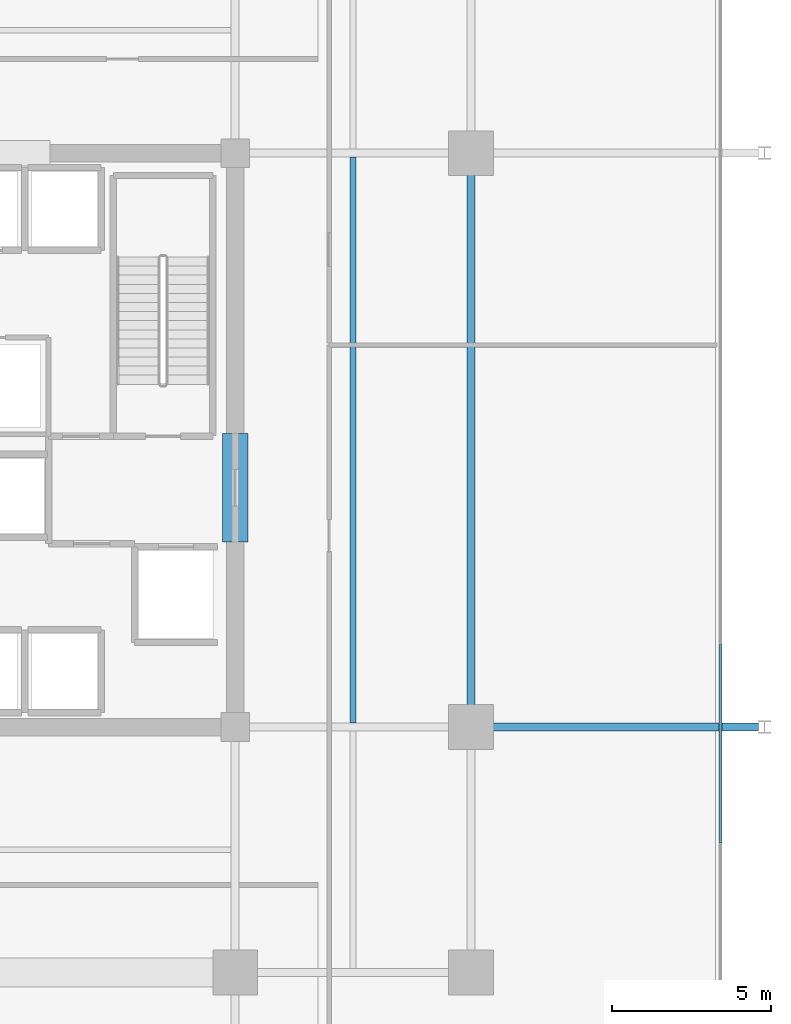
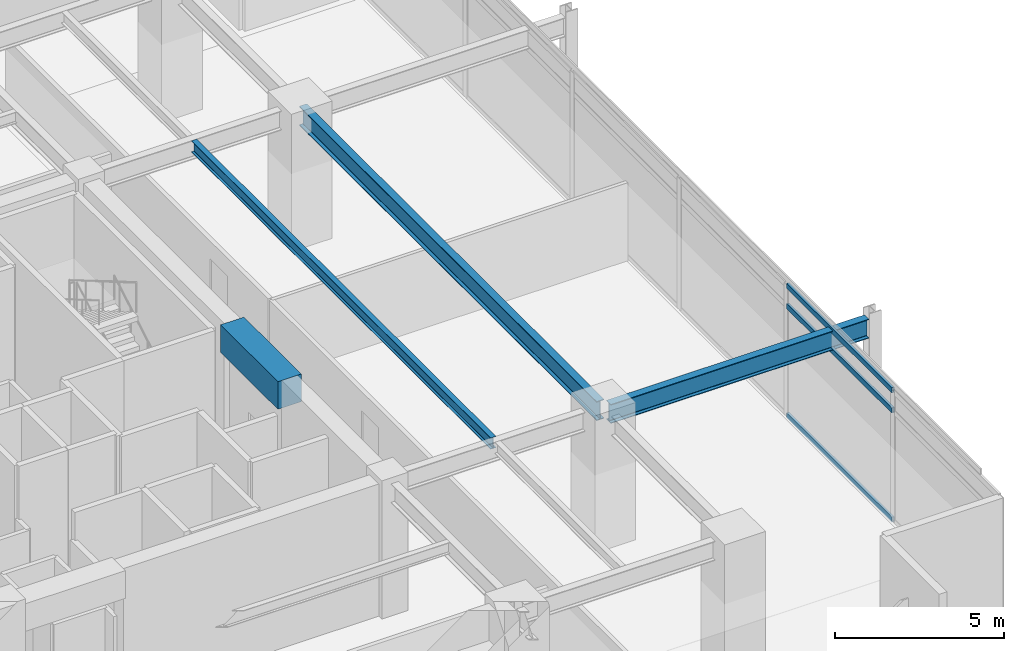
# One storey, part 8 of 21: 4 beams, 3 members, 1 element without a shape of its own.
"""IFC4 building model written with IfcOpenShell, lengths in metres."""

from ifc_helpers import new_model, si_unit, direction, frame, origin, origin_2d, place, context, subcontext, project, spatial, rectangle, hollow_rectangle, i_section, extrude, material, material_profile, profile_set, type_object, element, aggregate, save


model = new_model("IFC4")

# Units and contexts
model_context = context("Model", 3, precision=1e-05, world=origin(), true_north=direction((0.0, 1.0)))
body_context = subcontext(model_context, "Body", "Model", "MODEL_VIEW")
ifc_project = project(units=[si_unit("LENGTHUNIT", "METRE"), si_unit("AREAUNIT", "SQUARE_METRE"), si_unit("VOLUMEUNIT", "CUBIC_METRE"), si_unit("PLANEANGLEUNIT", "RADIAN"), si_unit("MASSUNIT", "GRAM", prefix="KILO")], contexts=[model_context])

# Site, building, storey
site_placement = place(None, origin())
site = spatial("IfcSite", under=ifc_project, at=site_placement, CompositionType="ELEMENT")
building_placement = place(site_placement, origin())
building = spatial("IfcBuilding", under=site, at=building_placement, Name="Kovane Verandah Tower", CompositionType="ELEMENT")
storey_placement = place(building_placement, frame((0.0, 0.0, 238.199951171875)))
storey = spatial("IfcBuildingStorey", under=building, at=storey_placement, Name="L55", CompositionType="ELEMENT", Elevation=238.199951171875)

# Beams
ifc_material_1 = material(Name="Concrete C60/75", Category="concrete")
ifc_material_profile_1 = material_profile(ifc_material_1, rectangle(XDim=0.800048828125, YDim=1.0, at=origin_2d()), Name="RCB800x1000")
ifc_profile_set_1 = profile_set([ifc_material_profile_1], Name="Concrete C60/75")
beam_type_1 = type_object("IfcBeamType", Name="BM-LINTEL-800x1000", PredefinedType="LINTEL", material=ifc_profile_set_1)
beam_1_placement = place(storey_placement, frame((51.0, 24.300048828125, 4.28515625), z_axis=(0.0, 1.0, 0.0), x_axis=(-1.0, 0.0, 0.0)))
element("IfcBeam", 1, at=beam_1_placement, inside=storey, type_object=beam_type_1, Name="L55 Core Coupling Lintel CL-E", PredefinedType="LINTEL", context=body_context, shape_type="SweptSolid", body=[
    extrude(rectangle(XDim=0.800048828125, YDim=1.0, at=origin_2d()), origin(), (0.0, 0.0, 1.0), 3.39990234375),
])
ifc_material_2 = material(Name="Steel S355", Category="steel")
ifc_material_profile_2 = material_profile(ifc_material_2, i_section(OverallWidth=0.255859375, OverallDepth=0.69287109375, WebThickness=0.014404296875, FlangeThickness=0.023681640625, FilletRadius=0.01513671875, at=origin_2d()), Name="UB686x254x170")
ifc_profile_set_2 = profile_set([ifc_material_profile_2], Name="Steel S355")
beam_type_2 = type_object("IfcBeamType", Name="BM-UB686x170", PredefinedType="BEAM", material=ifc_profile_set_2)
beam_2_placement = place(storey_placement, frame((58.39990234375, 18.679931640625, 4.438720703125), z_axis=(0.0, 1.0, 0.0), x_axis=(-1.0, 0.0, 0.0)))
element("IfcBeam", 2, at=beam_2_placement, inside=storey, type_object=beam_type_2, Name="L55 Primary Tower Girder G-RE2", PredefinedType="BEAM", context=body_context, shape_type="SweptSolid", body=[
    extrude(i_section(OverallWidth=0.255859375, OverallDepth=0.69287109375, WebThickness=0.014404296875, FlangeThickness=0.023681640625, FilletRadius=0.01513671875, at=origin_2d()), origin(), (0.0, 0.0, 1.0), 17.64013671875),
])
beam_3_placement = place(storey_placement, frame((58.580078125, 18.5, 4.41357421875), z_axis=(1.0, 0.0, 0.0), x_axis=(0.0, 1.0, 0.0)))
element("IfcBeam", 3, at=beam_3_placement, inside=storey, type_object=beam_type_2, Name="L55 Primary Tower Girder G-VE1", PredefinedType="BEAM", context=body_context, shape_type="SweptSolid", body=[
    extrude(i_section(OverallWidth=0.255859375, OverallDepth=0.69287109375, WebThickness=0.014404296875, FlangeThickness=0.023681640625, FilletRadius=0.01513671875, at=origin_2d()), origin(), (0.0, 0.0, 1.0), 8.83984375),
])

# Curtain wall, members
ifc_material_3 = material(Name="Champagne Anodised Aluminium Frame with Low-E Clear Laminated Glass", Category="aluminium")
curtain_wall_type = type_object("IfcCurtainWallType", Name="CW-SYS-03-MID", PredefinedType="NOTDEFINED", material=ifc_material_3)
curtain_wall_placement = place(storey_placement, origin())
curtain_wall = element("IfcCurtainWall", 4, at=curtain_wall_placement, inside=storey, type_object=curtain_wall_type, Name="L55 E Unitised Curtain Wall", PredefinedType="NOTDEFINED")
ifc_material_4 = material(Name="Champagne Anodised Aluminium 6063-T6", Category="aluminium")
ifc_material_profile_3 = material_profile(ifc_material_4, hollow_rectangle(XDim=0.0849609375, YDim=0.18994140625, WallThickness=0.00390625, at=origin_2d()), Name="AL85x190x4")
ifc_profile_set_3 = profile_set([ifc_material_profile_3], Name="Champagne Anodised Aluminium 6063-T6")
member_type = type_object("IfcMemberType", Name="CW-TRN-85x190", PredefinedType="USERDEFINED", material=ifc_profile_set_3)
member_1_placement = place(storey_placement, frame((66.220703125, 14.86767578125, 0.050048828125), z_axis=(0.0, 1.0, 0.0), x_axis=(-1.0, 0.0, 0.0)))
member_1 = element("IfcMember", 5, at=member_1_placement, type_object=member_type, Name="L55 E Unitised Curtain Wall Transom TB Bay 2", ObjectType="TRANSOM", PredefinedType="USERDEFINED", context=body_context, shape_type="SweptSolid", body=[
    extrude(hollow_rectangle(XDim=0.0849609375, YDim=0.18994140625, WallThickness=0.00390625, at=origin_2d()), origin(), (0.0, 0.0, 1.0), 6.2412109375),
])
member_2_placement = place(storey_placement, frame((66.220703125, 14.86767578125, 4.005126953125), z_axis=(0.0, 1.0, 0.0), x_axis=(-1.0, 0.0, 0.0)))
member_2 = element("IfcMember", 6, at=member_2_placement, type_object=member_type, Name="L55 E Unitised Curtain Wall Transom TM Bay 2", ObjectType="TRANSOM", PredefinedType="USERDEFINED", context=body_context, shape_type="SweptSolid", body=[
    extrude(hollow_rectangle(XDim=0.0849609375, YDim=0.18994140625, WallThickness=0.00390625, at=origin_2d()), origin(), (0.0, 0.0, 1.0), 6.2412109375),
])
member_3_placement = place(storey_placement, frame((66.220703125, 14.86767578125, 4.735107421875), z_axis=(0.0, 1.0, 0.0), x_axis=(-1.0, 0.0, 0.0)))
member_3 = element("IfcMember", 7, at=member_3_placement, type_object=member_type, Name="L55 E Unitised Curtain Wall Transom TT Bay 2", ObjectType="TRANSOM", PredefinedType="USERDEFINED", context=body_context, shape_type="SweptSolid", body=[
    extrude(hollow_rectangle(XDim=0.0849609375, YDim=0.18994140625, WallThickness=0.00390625, at=origin_2d()), origin(), (0.0, 0.0, 1.0), 6.2412109375),
])
aggregate(curtain_wall, [member_1, member_2, member_3])

# Beam
ifc_material_profile_4 = material_profile(ifc_material_2, i_section(OverallWidth=0.179443359375, OverallDepth=0.412841796875, WebThickness=0.009521484375, FlangeThickness=0.01611328125, FilletRadius=0.01025390625, at=origin_2d()), Name="UB406x178x74")
ifc_profile_set_4 = profile_set([ifc_material_profile_4], Name="Steel S355")
beam_type_3 = type_object("IfcBeamType", Name="JST-UB406x74", PredefinedType="JOIST", material=ifc_profile_set_4)
beam_4_placement = place(storey_placement, frame((54.699951171875, 18.6259765625, 4.57861328125), z_axis=(0.0, 1.0, 0.0), x_axis=(-1.0, 0.0, 0.0)))
element("IfcBeam", 8, at=beam_4_placement, inside=storey, type_object=beam_type_3, Name="L55 Secondary Composite Joist J-E1", PredefinedType="JOIST", context=body_context, shape_type="SweptSolid", body=[
    extrude(i_section(OverallWidth=0.179443359375, OverallDepth=0.412841796875, WebThickness=0.009521484375, FlangeThickness=0.01611328125, FilletRadius=0.01025390625, at=origin_2d()), origin(), (0.0, 0.0, 1.0), 17.748046875),
])

save(model, "model.ifc")
